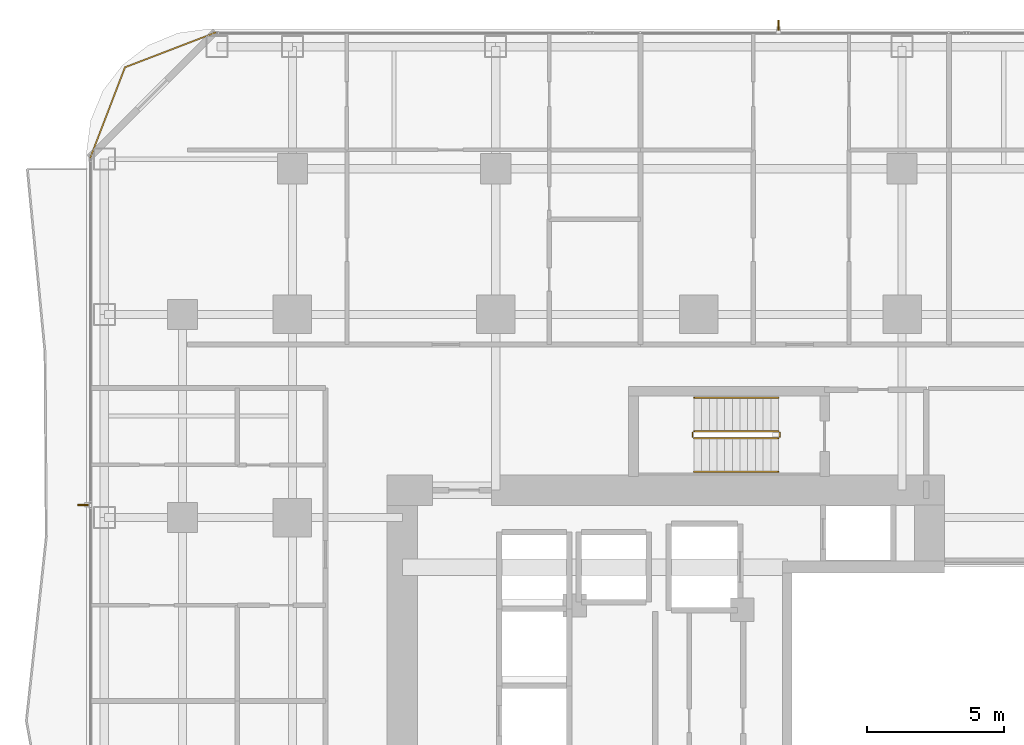
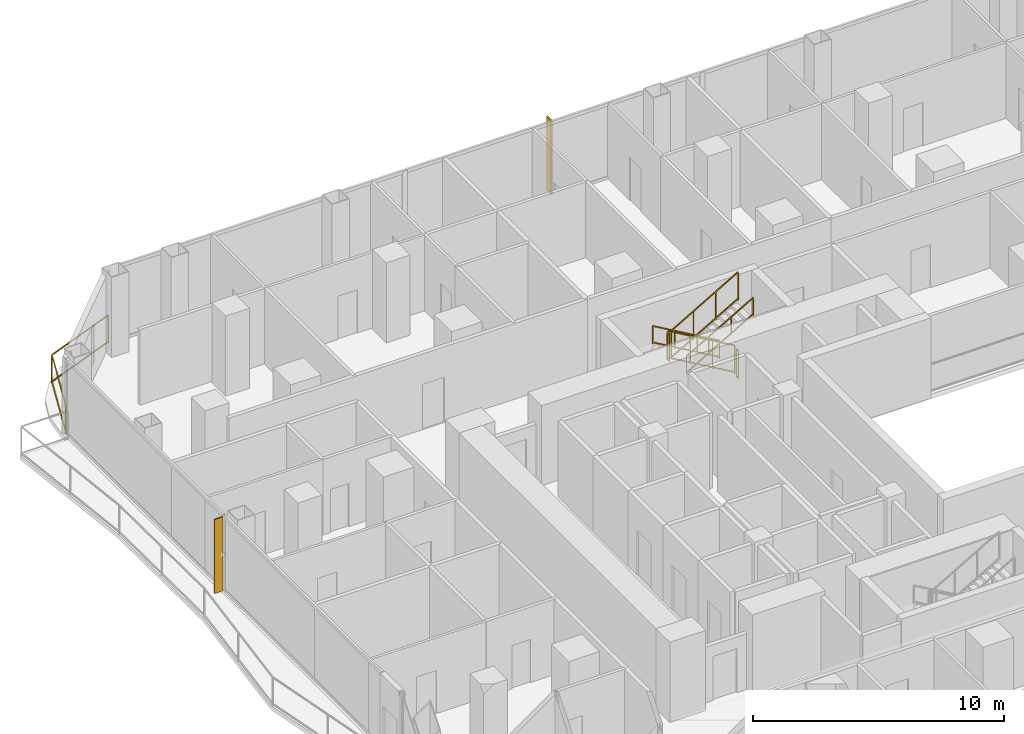
# One storey, part 29 of 30: 7 railings, 2 shading devices.
"""IFC4 building model written with IfcOpenShell, lengths in metres."""

from ifc_helpers import new_model, si_unit, direction, frame, origin, origin_2d, place, context, subcontext, project, spatial, rectangle, extrude, material, layer, layer_set, type_object, element, save


model = new_model("IFC4")

# Units and contexts
model_context = context("Model", 3, precision=1e-05, world=origin(), true_north=direction((0.0, 1.0)))
body_context = subcontext(model_context, "Body", "Model", "MODEL_VIEW")
ifc_project = project(units=[si_unit("LENGTHUNIT", "METRE"), si_unit("AREAUNIT", "SQUARE_METRE"), si_unit("VOLUMEUNIT", "CUBIC_METRE"), si_unit("PLANEANGLEUNIT", "RADIAN"), si_unit("MASSUNIT", "GRAM", prefix="KILO")], contexts=[model_context])

# Site, building, storey
site_placement = place(None, origin())
site = spatial("IfcSite", under=ifc_project, at=site_placement, CompositionType="ELEMENT")
building_placement = place(site_placement, origin())
building = spatial("IfcBuilding", under=site, at=building_placement, Name="Khorvyn Point Tower", CompositionType="ELEMENT")
storey_placement = place(building_placement, frame((0.0, 0.0, 30.60009765625)))
storey = spatial("IfcBuildingStorey", under=building, at=storey_placement, Name="L08", CompositionType="ELEMENT", Elevation=30.60009765625)

# Shading devices
ifc_material_1 = material(Name="Bronze anodised aluminium 6063-T6", Category="aluminium")
ifc_layer = layer(ifc_material_1, 0.06494140625)
ifc_layer_set = layer_set([ifc_layer], Name="Bronze Anodised Aluminium FIN 380x65")
shading_device_type = type_object("IfcShadingDeviceType", Name="Bronze Anodised Aluminium FIN 380x65", PredefinedType="USERDEFINED", material=ifc_layer_set)
for number, where, z_axis, x_axis, name in (
    (1, (2.89990234375, 25.330078125, 0.039794921875), (0.0, 0.0, 1.0), (0.0, 1.0, 0.0), "L08 Anodised FIN 01"),
    (2, (-22.429931640625, 7.863037109375, 0.039794921875), (0.0, 0.0, 1.0), (-1.0, 0.0, 0.0), "L08 Anodised FIN 01"),
):
    element("IfcShadingDevice", number, at=place(storey_placement, frame(where, z_axis=z_axis, x_axis=x_axis)), inside=storey, type_object=shading_device_type, Name=name, ObjectType="FIN", PredefinedType="USERDEFINED", context=body_context, shape_type="SweptSolid", body=[
        extrude(rectangle(XDim=0.3798828125, YDim=0.06494140625, at=origin_2d()), origin(), (0.0, 0.0, 1.0), 3.60009765625),
    ])

# Railings
ifc_material_2 = material(Name="Anodised aluminium 6063-T6 and laminated safety glass", Category="aluminium")
railing_type_1 = type_object("IfcRailingType", Name="Laminated Glass and Aluminium Balcony Guardrail 1400", PredefinedType="BALUSTRADE", material=ifc_material_2)
railing_1_placement = place(storey_placement, frame((-17.57080078125, 25.073974609375, 0.0)))
element("IfcRailing", 3, at=railing_1_placement, inside=storey, type_object=railing_type_1, Name="L08 Rounded Corner Edge Guardrail NW", PredefinedType="BALUSTRADE", context=body_context, shape_type="SweptSolid", body=[
    extrude(rectangle(XDim=0.048095703125, YDim=0.048095703125, at=origin_2d()), frame((0.0, 0.0, 1.3759765625), z_axis=(-0.933583807283, -0.358359142172, 0.0), x_axis=(0.358359142172, -0.933583807283, 0.0)), (0.0, 0.0, 1.0), 3.56298828125),
    extrude(rectangle(XDim=0.048095703125, YDim=0.048095703125, at=origin_2d()), frame((0.0, 0.0, 0.080078125), z_axis=(-0.933583807283, -0.358359142172, 0.0), x_axis=(0.358359142172, -0.933583807283, 0.0)), (0.0, 0.0, 1.0), 3.56298828125),
    extrude(rectangle(XDim=0.048095703125, YDim=0.048095703125, at=origin_2d()), frame((-3.326416015625, -1.27685546875, 1.3759765625), z_axis=(-0.358359142172, -0.933583807283, 0.0), x_axis=(0.933583807283, -0.358359142172, 0.0)), (0.0, 0.0, 1.0), 3.56298828125),
    extrude(rectangle(XDim=0.048095703125, YDim=0.048095703125, at=origin_2d()), frame((-3.326416015625, -1.27685546875, 0.080078125), z_axis=(-0.358359142172, -0.933583807283, 0.0), x_axis=(0.933583807283, -0.358359142172, 0.0)), (0.0, 0.0, 1.0), 3.56298828125),
    extrude(rectangle(XDim=0.0419921875, YDim=0.0419921875, at=origin_2d()), origin(), (0.0, 0.0, 1.0), 1.351806640625),
    extrude(rectangle(XDim=0.0419921875, YDim=0.0419921875, at=origin_2d()), frame((-3.326416015625, -1.27685546875, 0.0)), (0.0, 0.0, 1.0), 1.351806640625),
    extrude(rectangle(XDim=0.0419921875, YDim=0.0419921875, at=origin_2d()), frame((-4.603271484375, -4.603271484375, 0.0)), (0.0, 0.0, 1.0), 1.351806640625),
])
ifc_material_3 = material(Name="Stainless steel 1.4301", Category="steel")
railing_type_2 = type_object("IfcRailingType", Name="Stainless Steel 304 Stair Pitch Handrail 900", PredefinedType="HANDRAIL", material=ifc_material_3)
railing_2_placement = place(storey_placement, frame((2.89990234375, 11.77001953125, 0.162353515625)))
element("IfcRailing", 4, at=railing_2_placement, inside=storey, type_object=railing_type_2, Name="L08 ST-02 stair handrail 1", PredefinedType="HANDRAIL", context=body_context, shape_type="SweptSolid", body=[
    extrude(rectangle(XDim=0.048095703125, YDim=0.048095703125, at=origin_2d()), frame((0.0, 0.0, 0.8759765625), z_axis=(-0.864873446163, 0.0, 0.501989962173), x_axis=(0.0, -1.0, 0.0)), (0.0, 0.0, 1.0), 3.56103515625),
    extrude(rectangle(XDim=0.048095703125, YDim=0.048095703125, at=origin_2d()), frame((0.0, 0.0, 0.080078125), z_axis=(-0.864873446163, 0.0, 0.501989962173), x_axis=(0.0, -1.0, 0.0)), (0.0, 0.0, 1.0), 3.56103515625),
    extrude(rectangle(XDim=0.0419921875, YDim=0.0419921875, at=origin_2d()), origin(), (0.0, 0.0, 1.0), 0.851806640625),
    extrude(rectangle(XDim=0.0419921875, YDim=0.0419921875, at=origin_2d()), frame((-1.026611328125, 0.0, 0.595947265625)), (0.0, 0.0, 1.0), 0.851806640625),
    extrude(rectangle(XDim=0.0419921875, YDim=0.0419921875, at=origin_2d()), frame((-2.05322265625, 0.0, 1.191650390625)), (0.0, 0.0, 1.0), 0.851806640625),
    extrude(rectangle(XDim=0.0419921875, YDim=0.0419921875, at=origin_2d()), frame((-3.079833984375, 0.0, 1.78759765625)), (0.0, 0.0, 1.0), 0.851806640625),
])
railing_3_placement = place(storey_placement, frame((-0.179931640625, 9.070068359375, 2.1123046875)))
element("IfcRailing", 5, at=railing_3_placement, inside=storey, type_object=railing_type_2, Name="L08 ST-02 stair handrail 2", PredefinedType="HANDRAIL", context=body_context, shape_type="SweptSolid", body=[
    extrude(rectangle(XDim=0.048095703125, YDim=0.048095703125, at=origin_2d()), frame((0.0, 0.0, 0.8759765625), z_axis=(0.864873446163, 0.0, 0.501989962173), x_axis=(0.0, 1.0, 0.0)), (0.0, 0.0, 1.0), 3.56103515625),
    extrude(rectangle(XDim=0.048095703125, YDim=0.048095703125, at=origin_2d()), frame((0.0, 0.0, 0.080078125), z_axis=(0.864873446163, 0.0, 0.501989962173), x_axis=(0.0, 1.0, 0.0)), (0.0, 0.0, 1.0), 3.56103515625),
    extrude(rectangle(XDim=0.0419921875, YDim=0.0419921875, at=origin_2d()), origin(), (0.0, 0.0, 1.0), 0.851806640625),
    extrude(rectangle(XDim=0.0419921875, YDim=0.0419921875, at=origin_2d()), frame((1.026611328125, 0.0, 0.595947265625)), (0.0, 0.0, 1.0), 0.851806640625),
    extrude(rectangle(XDim=0.0419921875, YDim=0.0419921875, at=origin_2d()), frame((2.05322265625, 0.0, 1.191650390625)), (0.0, 0.0, 1.0), 0.851806640625),
    extrude(rectangle(XDim=0.0419921875, YDim=0.0419921875, at=origin_2d()), frame((3.079833984375, 0.0, 1.78759765625)), (0.0, 0.0, 1.0), 0.851806640625),
])
railing_type_3 = type_object("IfcRailingType", Name="Stainless Steel 304 Stair Well Guardrail 1400", PredefinedType="GUARDRAIL", material=ifc_material_3)
railing_4_placement = place(storey_placement, frame((2.89990234375, 10.550048828125, 0.162353515625)))
element("IfcRailing", 6, at=railing_4_placement, inside=storey, type_object=railing_type_3, Name="L08 ST-02 stair guard 1", PredefinedType="GUARDRAIL", context=body_context, shape_type="SweptSolid", body=[
    extrude(rectangle(XDim=0.048095703125, YDim=0.048095703125, at=origin_2d()), frame((0.0, 0.0, 1.3759765625), z_axis=(-0.864873446163, 0.0, 0.501989962173), x_axis=(0.0, -1.0, 0.0)), (0.0, 0.0, 1.0), 3.56103515625),
    extrude(rectangle(XDim=0.048095703125, YDim=0.048095703125, at=origin_2d()), frame((0.0, 0.0, 0.080078125), z_axis=(-0.864873446163, 0.0, 0.501989962173), x_axis=(0.0, -1.0, 0.0)), (0.0, 0.0, 1.0), 3.56103515625),
    extrude(rectangle(XDim=0.0419921875, YDim=0.0419921875, at=origin_2d()), origin(), (0.0, 0.0, 1.0), 1.351806640625),
    extrude(rectangle(XDim=0.0419921875, YDim=0.0419921875, at=origin_2d()), frame((-1.026611328125, 0.0, 0.595947265625)), (0.0, 0.0, 1.0), 1.351806640625),
    extrude(rectangle(XDim=0.0419921875, YDim=0.0419921875, at=origin_2d()), frame((-2.05322265625, 0.0, 1.191650390625)), (0.0, 0.0, 1.0), 1.351806640625),
    extrude(rectangle(XDim=0.0419921875, YDim=0.0419921875, at=origin_2d()), frame((-3.079833984375, 0.0, 1.78759765625)), (0.0, 0.0, 1.0), 1.351806640625),
])
railing_5_placement = place(storey_placement, frame((-0.22998046875, 10.5, 1.949951171875)))
element("IfcRailing", 7, at=railing_5_placement, inside=storey, type_object=railing_type_3, Name="L08 ST-02 stair guard 2", PredefinedType="GUARDRAIL", context=body_context, shape_type="SweptSolid", body=[
    extrude(rectangle(XDim=0.048095703125, YDim=0.048095703125, at=origin_2d()), frame((0.0, 0.0, 1.3759765625), z_axis=(0.0, -1.0, 0.0), x_axis=(1.0, 0.0, 0.0)), (0.0, 0.0, 1.0), 0.159912109375),
    extrude(rectangle(XDim=0.048095703125, YDim=0.048095703125, at=origin_2d()), frame((0.0, 0.0, 0.080078125), z_axis=(0.0, -1.0, 0.0), x_axis=(1.0, 0.0, 0.0)), (0.0, 0.0, 1.0), 0.159912109375),
    extrude(rectangle(XDim=0.0419921875, YDim=0.0419921875, at=origin_2d()), origin(), (0.0, 0.0, 1.0), 1.351806640625),
    extrude(rectangle(XDim=0.0419921875, YDim=0.0419921875, at=origin_2d()), frame((0.0, -0.159912109375, 0.0)), (0.0, 0.0, 1.0), 1.351806640625),
])
railing_6_placement = place(storey_placement, frame((-0.179931640625, 10.2900390625, 2.1123046875)))
element("IfcRailing", 8, at=railing_6_placement, inside=storey, type_object=railing_type_3, Name="L08 ST-02 stair guard 3", PredefinedType="GUARDRAIL", context=body_context, shape_type="SweptSolid", body=[
    extrude(rectangle(XDim=0.048095703125, YDim=0.048095703125, at=origin_2d()), frame((0.0, 0.0, 1.3759765625), z_axis=(0.864873446163, 0.0, 0.501989962173), x_axis=(0.0, 1.0, 0.0)), (0.0, 0.0, 1.0), 3.56103515625),
    extrude(rectangle(XDim=0.048095703125, YDim=0.048095703125, at=origin_2d()), frame((0.0, 0.0, 0.080078125), z_axis=(0.864873446163, 0.0, 0.501989962173), x_axis=(0.0, 1.0, 0.0)), (0.0, 0.0, 1.0), 3.56103515625),
    extrude(rectangle(XDim=0.0419921875, YDim=0.0419921875, at=origin_2d()), origin(), (0.0, 0.0, 1.0), 1.351806640625),
    extrude(rectangle(XDim=0.0419921875, YDim=0.0419921875, at=origin_2d()), frame((1.026611328125, 0.0, 0.595947265625)), (0.0, 0.0, 1.0), 1.351806640625),
    extrude(rectangle(XDim=0.0419921875, YDim=0.0419921875, at=origin_2d()), frame((2.05322265625, 0.0, 1.191650390625)), (0.0, 0.0, 1.0), 1.351806640625),
    extrude(rectangle(XDim=0.0419921875, YDim=0.0419921875, at=origin_2d()), frame((3.079833984375, 0.0, 1.78759765625)), (0.0, 0.0, 1.0), 1.351806640625),
])
railing_7_placement = place(storey_placement, frame((2.949951171875, 10.5, 0.0)))
element("IfcRailing", 9, at=railing_7_placement, inside=storey, type_object=railing_type_3, Name="L08 ST-02 stair guard 4", PredefinedType="GUARDRAIL", context=body_context, shape_type="SweptSolid", body=[
    extrude(rectangle(XDim=0.048095703125, YDim=0.048095703125, at=origin_2d()), frame((0.0, 0.0, 1.3759765625), z_axis=(0.0, -1.0, 0.0), x_axis=(1.0, 0.0, 0.0)), (0.0, 0.0, 1.0), 0.159912109375),
    extrude(rectangle(XDim=0.048095703125, YDim=0.048095703125, at=origin_2d()), frame((0.0, 0.0, 0.080078125), z_axis=(0.0, -1.0, 0.0), x_axis=(1.0, 0.0, 0.0)), (0.0, 0.0, 1.0), 0.159912109375),
    extrude(rectangle(XDim=0.0419921875, YDim=0.0419921875, at=origin_2d()), origin(), (0.0, 0.0, 1.0), 1.351806640625),
    extrude(rectangle(XDim=0.0419921875, YDim=0.0419921875, at=origin_2d()), frame((0.0, -0.159912109375, 0.0)), (0.0, 0.0, 1.0), 1.351806640625),
])

save(model, "model.ifc")
